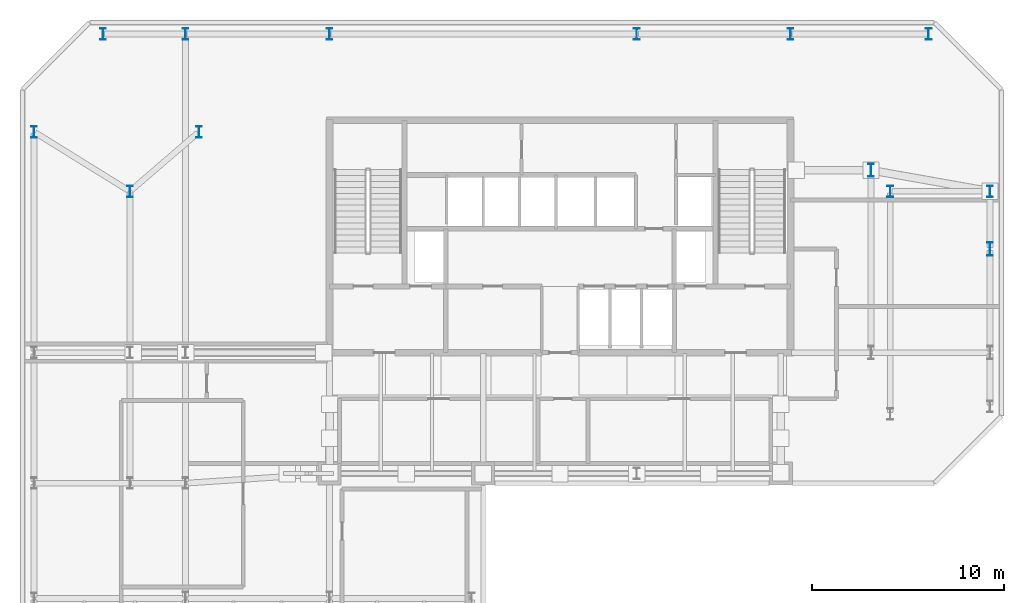
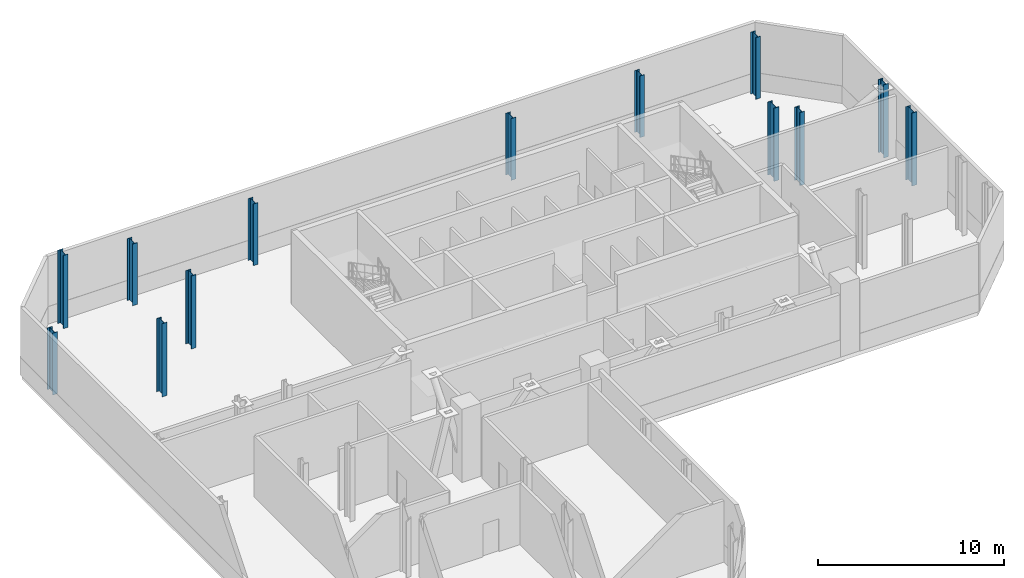
# One storey, part 2 of 9: 13 columns.
"""IFC4 building model written with IfcOpenShell, lengths in metres."""

from ifc_helpers import new_model, si_unit, direction, frame, origin, origin_2d, place, context, subcontext, project, spatial, i_section, extrude, material, material_profile, profile_set, type_object, element, save


model = new_model("IFC4")

# Units and contexts
model_context = context("Model", 3, precision=1e-05, world=origin(), true_north=direction((0.0, 1.0)))
body_context = subcontext(model_context, "Body", "Model", "MODEL_VIEW")
ifc_project = project(units=[si_unit("LENGTHUNIT", "METRE"), si_unit("AREAUNIT", "SQUARE_METRE"), si_unit("VOLUMEUNIT", "CUBIC_METRE"), si_unit("PLANEANGLEUNIT", "RADIAN"), si_unit("MASSUNIT", "GRAM", prefix="KILO")], contexts=[model_context])

# Site, building, storey
site_placement = place(None, origin())
site = spatial("IfcSite", under=ifc_project, at=site_placement, CompositionType="ELEMENT")
building_placement = place(site_placement, origin())
building = spatial("IfcBuilding", under=site, at=building_placement, Name="Catumbela Crestline Tower", CompositionType="ELEMENT")
storey_placement = place(building_placement, frame((0.0, 0.0, 144.0)))
storey = spatial("IfcBuildingStorey", under=building, at=storey_placement, Name="L37", CompositionType="ELEMENT", Elevation=144.0)

# Columns
ifc_material = material(Name="Structural steel S460M", Category="steel")
ifc_material_profile_1 = material_profile(ifc_material, i_section(OverallWidth=0.3, OverallDepth=0.6, WebThickness=0.0155, FlangeThickness=0.03, FilletRadius=0.027, at=origin_2d()), Name="HEB 600")
ifc_profile_set_1 = profile_set([ifc_material_profile_1], Name="Structural steel S460M")
column_type_1 = type_object("IfcColumnType", Name="C-ST-HEB600", PredefinedType="COLUMN", material=ifc_profile_set_1)
for number, where, z_axis, x_axis, name in (
    (1, (5.6, 39.2, 0.0), (0.0, 0.0, 1.0), (1.0, 0.0, 0.0), "L37 Column C-05-43 (HEB 600)"),
    (2, (9.2, 42.3, 0.0), (0.0, 0.0, 1.0), (1.0, 0.0, 0.0), "L37 Column C-08-43 (HEB 600)"),
    (3, (45.2, 39.2, 0.0), (0.0, 0.0, 1.0), (1.0, 0.0, 0.0), "L37 Column C-46-43 (HEB 600)"),
):
    element("IfcColumn", number, at=place(storey_placement, frame(where, z_axis=z_axis, x_axis=x_axis)), inside=storey, type_object=column_type_1, Name=name, PredefinedType="COLUMN", context=body_context, shape_type="SweptSolid", body=[
        extrude(i_section(OverallWidth=0.3, OverallDepth=0.6, WebThickness=0.0155, FlangeThickness=0.03, FilletRadius=0.027, at=origin_2d()), origin(), (0.0, 0.0, 1.0), 4.8),
    ])
column_1_placement = place(storey_placement, frame((0.6, 42.3, 0.0), z_axis=(0.0, 0.0, 1.0), x_axis=(1.0, 0.0, 0.0)))
element("IfcColumn", 4, at=column_1_placement, inside=storey, type_object=column_type_1, Name="L37 Column C-00-43 (HEB 600)", PredefinedType="COLUMN", context=body_context, shape_type="SweptSolid", body=[
    extrude(i_section(OverallWidth=0.3, OverallDepth=0.6, WebThickness=0.0155, FlangeThickness=0.03, FilletRadius=0.027, at=origin_2d()), origin(), (0.0, 0.0, 1.0), 4.05),
])
column_2_placement = place(storey_placement, frame((4.2, 47.4, 0.0), z_axis=(0.0, 0.0, 1.0), x_axis=(1.0, 0.0, 0.0)))
element("IfcColumn", 5, at=column_2_placement, inside=storey, type_object=column_type_1, Name="L37 Column C-00-48 (HEB 600)", PredefinedType="COLUMN", context=body_context, shape_type="SweptSolid", body=[
    extrude(i_section(OverallWidth=0.3, OverallDepth=0.6, WebThickness=0.0155, FlangeThickness=0.03, FilletRadius=0.027, at=origin_2d()), origin(), (0.0, 0.0, 1.0), 4.8),
])
for number, where, z_axis, x_axis, name in (
    (6, (8.5, 47.4, 0.0), (0.0, 0.0, 1.0), (1.0, 0.0, 0.0), "L37 Column C-08-48 (HEB 600)"),
    (7, (16.0, 47.4, 0.0), (0.0, 0.0, 1.0), (1.0, 0.0, 0.0), "L37 Column C-16-48 (HEB 600)"),
    (8, (32.0, 47.4, 0.0), (0.0, 0.0, 1.0), (1.0, 0.0, 0.0), "L37 Column C-32-48 (HEB 600)"),
    (9, (40.0, 47.4, 0.0), (0.0, 0.0, 1.0), (1.0, 0.0, 0.0), "L37 Column C-40-48 (HEB 600)"),
    (10, (47.2, 47.4, 0.0), (0.0, 0.0, 1.0), (1.0, 0.0, 0.0), "L37 Column C-48-48 (HEB 600)"),
):
    element("IfcColumn", number, at=place(storey_placement, frame(where, z_axis=z_axis, x_axis=x_axis)), inside=storey, type_object=column_type_1, Name=name, PredefinedType="COLUMN", context=body_context, shape_type="SweptSolid", body=[
        extrude(i_section(OverallWidth=0.3, OverallDepth=0.6, WebThickness=0.0155, FlangeThickness=0.03, FilletRadius=0.027, at=origin_2d()), origin(), (0.0, 0.0, 1.0), 4.05),
    ])
column_3_placement = place(storey_placement, frame((50.4, 39.2, 0.0), z_axis=(0.0, 0.0, 1.0), x_axis=(1.0, 0.0, 0.0)))
element("IfcColumn", 11, at=column_3_placement, inside=storey, type_object=column_type_1, Name="L37 Column C-51-43 (HEB 600)", PredefinedType="COLUMN", context=body_context, shape_type="SweptSolid", body=[
    extrude(i_section(OverallWidth=0.3, OverallDepth=0.6, WebThickness=0.0155, FlangeThickness=0.03, FilletRadius=0.027, at=origin_2d()), origin(), (0.0, 0.0, 1.0), 4.8),
])
ifc_material_profile_2 = material_profile(ifc_material, i_section(OverallWidth=0.3, OverallDepth=0.7, WebThickness=0.017, FlangeThickness=0.032, FilletRadius=0.027, at=origin_2d()), Name="HEB 700")
ifc_profile_set_2 = profile_set([ifc_material_profile_2], Name="Structural steel S460M")
column_type_2 = type_object("IfcColumnType", Name="C-ST-HEB700", PredefinedType="COLUMN", material=ifc_profile_set_2)
for number, where, z_axis, x_axis, name in (
    (12, (44.2, 40.3, 0.0), (0.0, 0.0, 1.0), (1.0, 0.0, 0.0), "L37 Column CT-46-37 (HEB 700)"),
    (13, (50.4, 36.2, 0.0), (0.0, 0.0, 1.0), (1.0, 0.0, 0.0), "L37 Column CT-51-37 (HEB 700)"),
):
    element("IfcColumn", number, at=place(storey_placement, frame(where, z_axis=z_axis, x_axis=x_axis)), inside=storey, type_object=column_type_2, Name=name, PredefinedType="COLUMN", context=body_context, shape_type="SweptSolid", body=[
        extrude(i_section(OverallWidth=0.3, OverallDepth=0.7, WebThickness=0.017, FlangeThickness=0.032, FilletRadius=0.027, at=origin_2d()), origin(), (0.0, 0.0, 1.0), 4.8),
    ])

save(model, "model.ifc")
